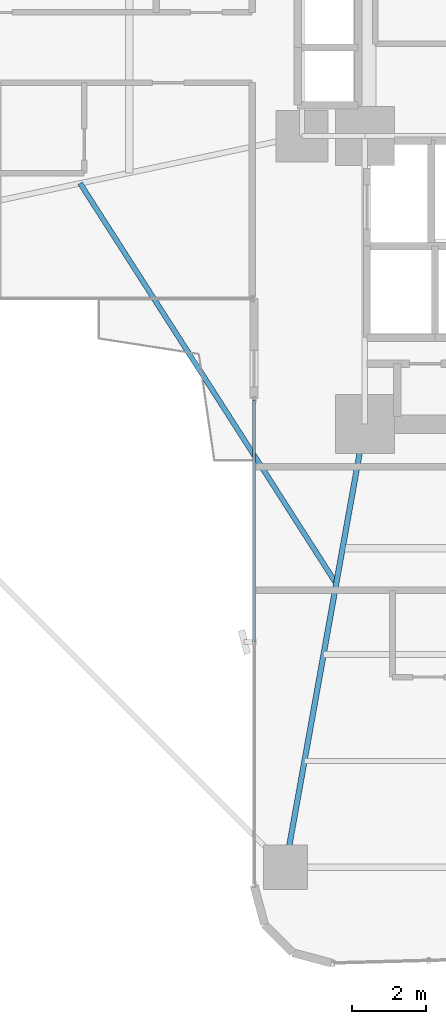
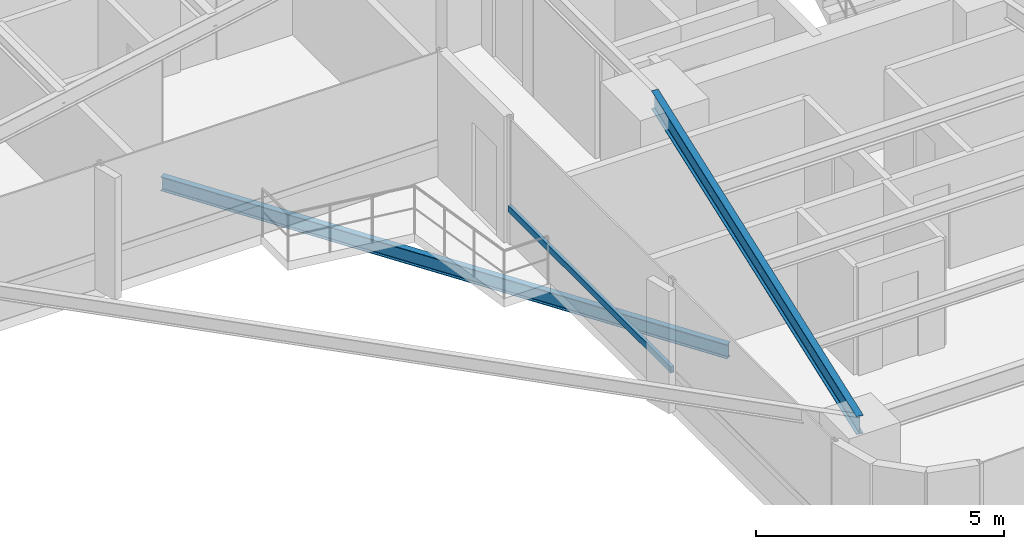
# One storey, part 3 of 26: 2 beams, 1 member, 1 element without a shape of its own.
"""IFC4 building model written with IfcOpenShell, lengths in metres."""

from ifc_helpers import new_model, si_unit, direction, frame, origin, origin_2d, place, context, subcontext, project, spatial, hollow_rectangle, i_section, extrude, source, transform, mapped, material, material_profile, profile_set, type_object, element, aggregate, save


model = new_model("IFC4")

# Units and contexts
model_context = context("Model", 3, precision=1e-05, world=origin(), true_north=direction((0.0, 1.0)))
body_context = subcontext(model_context, "Body", "Model", "MODEL_VIEW")
ifc_project = project(units=[si_unit("LENGTHUNIT", "METRE"), si_unit("AREAUNIT", "SQUARE_METRE"), si_unit("VOLUMEUNIT", "CUBIC_METRE"), si_unit("PLANEANGLEUNIT", "RADIAN"), si_unit("MASSUNIT", "GRAM", prefix="KILO")], contexts=[model_context])

# Site, building, storey
site_placement = place(None, origin())
site = spatial("IfcSite", under=ifc_project, at=site_placement, CompositionType="ELEMENT")
building_placement = place(site_placement, origin())
building = spatial("IfcBuilding", under=site, at=building_placement, Name="Sahyath Konkavel Grand Hotel", CompositionType="ELEMENT")
storey_placement = place(building_placement, frame((0.0, 0.0, 51.050048828125)))
storey = spatial("IfcBuildingStorey", under=building, at=storey_placement, Name="L13", CompositionType="ELEMENT", Elevation=51.050048828125)

# Beam
ifc_material_1 = material(Name="Steel E350", Category="steel")
ifc_material_profile_1 = material_profile(ifc_material_1, i_section(OverallWidth=0.14990234375, OverallDepth=0.449951171875, WebThickness=0.009521484375, FlangeThickness=0.017333984375, FilletRadius=0.014892578125, at=origin_2d()), Name="ISMB 450")
ifc_profile_set_1 = profile_set([ifc_material_profile_1], Name="Steel E350")
beam_type_1 = type_object("IfcBeamType", Name="BM-ISMB450", PredefinedType="BEAM", material=ifc_profile_set_1)
shared_shape_1 = source(origin(), body_context, "Body", "SweptSolid", [
    extrude(i_section(OverallWidth=0.14990234375, OverallDepth=0.449951171875, WebThickness=0.009521484375, FlangeThickness=0.017333984375, FilletRadius=0.014892578125, at=origin_2d()), origin(), (0.0, 0.0, 1.0), 12.191162109375),
])
beam_1_placement = place(storey_placement, frame((-3.800048828125, -10.199951171875, 2.885009765625), z_axis=(-0.176350650305, -0.984327409014, 0.0), x_axis=(0.984327409014, -0.176350650305, 0.0)))
element("IfcBeam", 1, at=beam_1_placement, inside=storey, type_object=beam_type_1, Name="L13 Cruciform Radial Girder SA", PredefinedType="BEAM", context=body_context, shape_type="MappedRepresentation", body=[
    mapped(shared_shape_1, transform((0.0, 0.0, 0.0), scale=1.0)),
])

# Curtain wall, member
ifc_material_2 = material(Name="Anodised Bronze Aluminium & Low-E Glazing", Category="aluminium")
curtain_wall_type = type_object("IfcCurtainWallType", Name="CW-ZONE1", PredefinedType="NOTDEFINED", material=ifc_material_2)
curtain_wall_placement = place(storey_placement, origin())
curtain_wall = element("IfcCurtainWall", 2, at=curtain_wall_placement, inside=storey, type_object=curtain_wall_type, Name="L13 Unitised Curtain Wall F24", PredefinedType="NOTDEFINED")
ifc_material_3 = material(Name="Anodised Bronze Aluminium", Category="aluminium")
ifc_material_profile_2 = material_profile(ifc_material_3, hollow_rectangle(XDim=0.080078125, YDim=0.159912109375, WallThickness=0.006103515625, at=origin_2d()), Name="RHS 160x80x6")
ifc_profile_set_2 = profile_set([ifc_material_profile_2], Name="Anodised Bronze Aluminium")
member_type = type_object("IfcMemberType", Name="CW-TRN-160", PredefinedType="USERDEFINED", material=ifc_profile_set_2)
shared_shape_2 = source(origin(), body_context, "Body", "SweptSolid", [
    extrude(hollow_rectangle(XDim=0.080078125, YDim=0.159912109375, WallThickness=0.006103515625, at=origin_2d()), origin(), (0.0, 0.0, 1.0), 6.56005859375),
])
member_placement = place(storey_placement, frame((-6.800048828125, -9.5400390625, 0.849853515625), z_axis=(0.0, -1.0, 0.0), x_axis=(1.0, 0.0, 0.0)))
member = element("IfcMember", 3, at=member_placement, type_object=member_type, Name="L13 Curtain Wall Transom F24-0-spandrel", ObjectType="TRANSOM", PredefinedType="USERDEFINED", context=body_context, shape_type="MappedRepresentation", body=[
    mapped(shared_shape_2, transform((0.0, 0.0, 0.0), scale=1.0)),
])
aggregate(curtain_wall, [member])

# Beam
ifc_material_profile_3 = material_profile(ifc_material_1, i_section(OverallWidth=0.139892578125, OverallDepth=0.35009765625, WebThickness=0.008056640625, FlangeThickness=0.01416015625, FilletRadius=0.013916015625, at=origin_2d()), Name="ISMB 350")
ifc_profile_set_3 = profile_set([ifc_material_profile_3], Name="Steel E350")
beam_type_2 = type_object("IfcBeamType", Name="BM-BALC-CANT", PredefinedType="BEAM", material=ifc_profile_set_3)
shared_shape_3 = source(origin(), body_context, "Body", "SweptSolid", [
    extrude(i_section(OverallWidth=0.139892578125, OverallDepth=0.35009765625, WebThickness=0.008056640625, FlangeThickness=0.01416015625, FilletRadius=0.013916015625, at=origin_2d()), origin(), (0.0, 0.0, 1.0), 12.871826171875),
])
beam_2_placement = place(storey_placement, frame((-11.511962890625, -3.677978515625, -0.4150390625), z_axis=(0.539003102535, -0.842303778608, 0.0), x_axis=(0.842303778608, 0.539003102535, 0.0)))
element("IfcBeam", 4, at=beam_2_placement, inside=storey, type_object=beam_type_2, Name="L13 Balcony Cantilever Support Beam SW", PredefinedType="BEAM", context=body_context, shape_type="MappedRepresentation", body=[
    mapped(shared_shape_3, transform((0.0, 0.0, 0.0), scale=1.0)),
])

save(model, "model.ifc")
